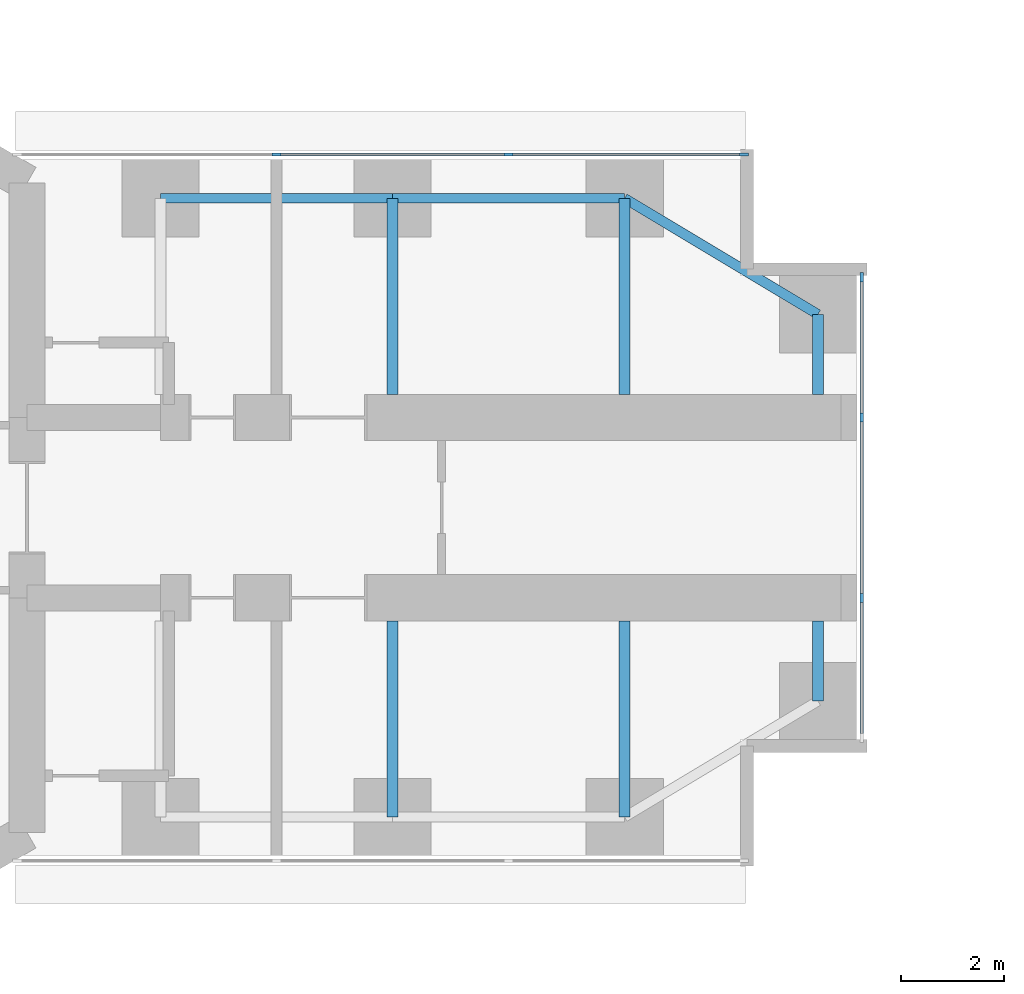
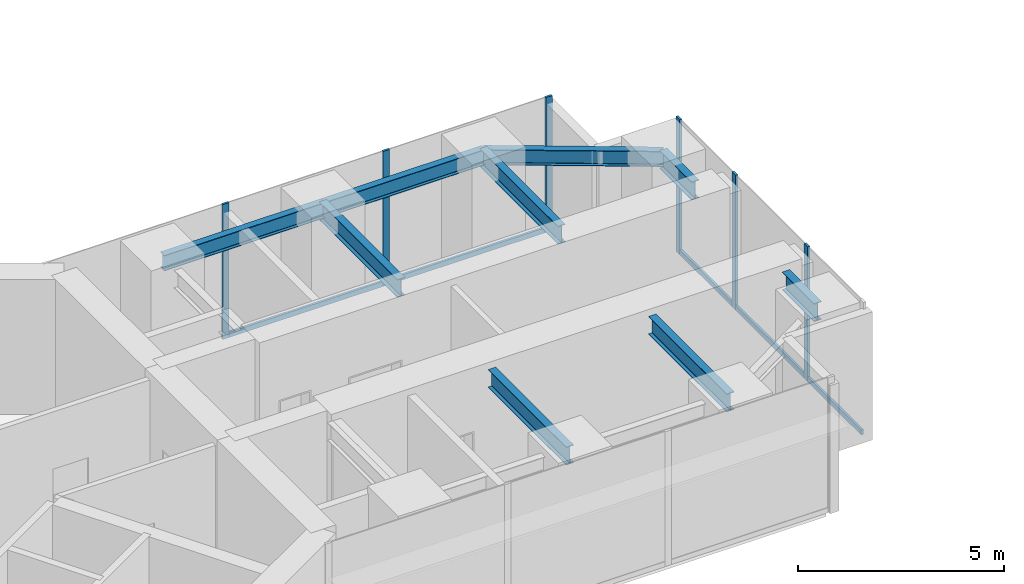
# One storey, part 8 of 23: 11 members, 9 beams, 2 elements without a shape of their own.
"""IFC4 building model written with IfcOpenShell, lengths in metres."""

from ifc_helpers import new_model, si_unit, direction, frame, origin, origin_2d, place, context, subcontext, project, spatial, rectangle, i_section, extrude, material, material_profile, profile_set, type_object, element, aggregate, save


model = new_model("IFC4")

# Units and contexts
model_context = context("Model", 3, precision=1e-05, world=origin(), true_north=direction((0.0, 1.0)))
body_context = subcontext(model_context, "Body", "Model", "MODEL_VIEW")
ifc_project = project(units=[si_unit("LENGTHUNIT", "METRE"), si_unit("AREAUNIT", "SQUARE_METRE"), si_unit("VOLUMEUNIT", "CUBIC_METRE"), si_unit("PLANEANGLEUNIT", "RADIAN"), si_unit("MASSUNIT", "GRAM", prefix="KILO")], contexts=[model_context])

# Site, building, storey
site_placement = place(None, origin())
site = spatial("IfcSite", under=ifc_project, at=site_placement, CompositionType="ELEMENT")
building_placement = place(site_placement, origin())
building = spatial("IfcBuilding", under=site, at=building_placement, Name="Upepo Twin Towers", CompositionType="ELEMENT")
storey_placement = place(building_placement, frame((0.0, 0.0, 24.5)))
storey = spatial("IfcBuildingStorey", under=building, at=storey_placement, Name="L05", CompositionType="ELEMENT", Elevation=24.5)

# Beams
ifc_material_1 = material(Name="Steel S355", Category="steel")
ifc_material_profile_1 = material_profile(ifc_material_1, i_section(OverallWidth=0.1904296875, OverallDepth=0.45703125, WebThickness=0.009033203125, FlangeThickness=0.014404296875, FilletRadius=0.01025390625, at=origin_2d()), Name="UB 457x191x74")
ifc_profile_set_1 = profile_set([ifc_material_profile_1], Name="Steel S355")
beam_type_1 = type_object("IfcBeamType", Name="Beam UB 457x191x74", PredefinedType="BEAM", material=ifc_profile_set_1)
for number, where, z_axis, x_axis, name in (
    (1, (13.5, 6.0, 3.571533203125), (1.0, 0.0, 0.0), (0.0, 1.0, 0.0), "T1 edge beam AL 13.5-18.0"),
    (2, (18.0, 6.0, 3.571533203125), (1.0, 0.0, 0.0), (0.0, 1.0, 0.0), "T1 edge beam AL 18.0-22.5"),
):
    element("IfcBeam", number, at=place(storey_placement, frame(where, z_axis=z_axis, x_axis=x_axis)), inside=storey, type_object=beam_type_1, Name=name, PredefinedType="BEAM", context=body_context, shape_type="SweptSolid", body=[
        extrude(i_section(OverallWidth=0.1904296875, OverallDepth=0.45703125, WebThickness=0.009033203125, FlangeThickness=0.014404296875, FilletRadius=0.01025390625, at=origin_2d()), origin(), (0.0, 0.0, 1.0), 4.5),
    ])
beam_placement = place(storey_placement, frame((22.5, 6.0, 3.571533203125), z_axis=(0.857492925713, -0.514495755428, 0.0), x_axis=(0.514495755428, 0.857492925713, 0.0)))
element("IfcBeam", 3, at=beam_placement, inside=storey, type_object=beam_type_1, Name="T1 nose edge beam AL", PredefinedType="BEAM", context=body_context, shape_type="SweptSolid", body=[
    extrude(i_section(OverallWidth=0.1904296875, OverallDepth=0.45703125, WebThickness=0.009033203125, FlangeThickness=0.014404296875, FilletRadius=0.01025390625, at=origin_2d()), origin(), (0.0, 0.0, 1.0), 4.373291015625),
])
ifc_material_2 = material(Name="Steel S355", Category="steel")
ifc_material_profile_2 = material_profile(ifc_material_2, i_section(OverallWidth=0.2099609375, OverallDepth=0.53662109375, WebThickness=0.0107421875, FlangeThickness=0.017333984375, FilletRadius=0.0126953125, at=origin_2d()), Name="UB 533x210x101")
ifc_profile_set_2 = profile_set([ifc_material_profile_2], Name="Steel S355")
beam_type_2 = type_object("IfcBeamType", Name="Beam UB 533x210x101", PredefinedType="BEAM", material=ifc_profile_set_2)
for number, where, z_axis, x_axis, name in (
    (4, (26.25, 3.75, 3.53173828125), (0.0, -1.0, 0.0), (1.0, 0.0, 0.0), "T1 nose beam AL"),
    (5, (26.25, -3.75, 3.53173828125), (0.0, 1.0, 0.0), (-1.0, 0.0, 0.0), "T1 nose beam AR"),
):
    element("IfcBeam", number, at=place(storey_placement, frame(where, z_axis=z_axis, x_axis=x_axis)), inside=storey, type_object=beam_type_2, Name=name, PredefinedType="BEAM", context=body_context, shape_type="SweptSolid", body=[
        extrude(i_section(OverallWidth=0.2099609375, OverallDepth=0.53662109375, WebThickness=0.0107421875, FlangeThickness=0.017333984375, FilletRadius=0.0126953125, at=origin_2d()), origin(), (0.0, 0.0, 1.0), 1.550048828125),
    ])
ifc_material_3 = material(Name="Steel S355", Category="steel")
ifc_material_profile_3 = material_profile(ifc_material_3, i_section(OverallWidth=0.209228515625, OverallDepth=0.533203125, WebThickness=0.010009765625, FlangeThickness=0.015625, FilletRadius=0.0126953125, at=origin_2d()), Name="UB 533x210x92")
ifc_profile_set_3 = profile_set([ifc_material_profile_3], Name="Steel S355")
beam_type_3 = type_object("IfcBeamType", Name="Beam UB 533x210x92", PredefinedType="BEAM", material=ifc_profile_set_3)
for number, where, z_axis, x_axis, name in (
    (6, (18.0, 6.0, 3.533447265625), (0.0, -1.0, 0.0), (1.0, 0.0, 0.0), "T1 girder AL at 18.0"),
    (7, (22.5, 6.0, 3.533447265625), (0.0, -1.0, 0.0), (1.0, 0.0, 0.0), "T1 girder AL at 22.5"),
    (8, (18.0, -6.0, 3.533447265625), (0.0, 1.0, 0.0), (-1.0, 0.0, 0.0), "T1 girder AR at 18.0"),
    (9, (22.5, -6.0, 3.533447265625), (0.0, 1.0, 0.0), (-1.0, 0.0, 0.0), "T1 girder AR at 22.5"),
):
    element("IfcBeam", number, at=place(storey_placement, frame(where, z_axis=z_axis, x_axis=x_axis)), inside=storey, type_object=beam_type_3, Name=name, PredefinedType="BEAM", context=body_context, shape_type="SweptSolid", body=[
        extrude(i_section(OverallWidth=0.209228515625, OverallDepth=0.533203125, WebThickness=0.010009765625, FlangeThickness=0.015625, FilletRadius=0.0126953125, at=origin_2d()), origin(), (0.0, 0.0, 1.0), 3.800048828125),
    ])

# Curtain wall, members
ifc_material_4 = material(Name="Aluminium and fritted glass", Category="aluminium")
curtain_wall_type = type_object("IfcCurtainWallType", Name="Tower curtain wall TW1, fritted glass", PredefinedType="NOTDEFINED", material=ifc_material_4)
curtain_wall_1_placement = place(storey_placement, origin())
curtain_wall_1 = element("IfcCurtainWall", 10, at=curtain_wall_1_placement, inside=storey, type_object=curtain_wall_type, Name="T1 L05 wing A flank L curtain wall", PredefinedType="NOTDEFINED")
ifc_material_5 = material(Name="Aluminium mullion", Category="aluminium")
ifc_material_profile_4 = material_profile(ifc_material_5, rectangle(XDim=0.06494140625, YDim=0.179931640625, at=origin_2d()), Name="MULLION 65x180")
ifc_profile_set_4 = profile_set([ifc_material_profile_4], Name="Aluminium mullion")
member_type_1 = type_object("IfcMemberType", Name="Mullion 65x180 TW1", PredefinedType="MULLION", material=ifc_profile_set_4)
member_1_placement = place(storey_placement, frame((15.75, 6.85009765625, 0.0), z_axis=(0.0, 0.0, 1.0), x_axis=(0.0, 1.0, 0.0)))
member_1 = element("IfcMember", 11, at=member_1_placement, type_object=member_type_1, Name="T1 L05 wing A flank L curtain wall mullion 2", PredefinedType="MULLION", context=body_context, shape_type="SweptSolid", body=[
    extrude(rectangle(XDim=0.06494140625, YDim=0.179931640625, at=origin_2d()), origin(), (0.0, 0.0, 1.0), 4.0),
])
member_2_placement = place(storey_placement, frame((20.25, 6.85009765625, 0.0), z_axis=(0.0, 0.0, 1.0), x_axis=(0.0, 1.0, 0.0)))
member_2 = element("IfcMember", 12, at=member_2_placement, type_object=member_type_1, Name="T1 L05 wing A flank L curtain wall mullion 3", PredefinedType="MULLION", context=body_context, shape_type="SweptSolid", body=[
    extrude(rectangle(XDim=0.06494140625, YDim=0.179931640625, at=origin_2d()), origin(), (0.0, 0.0, 1.0), 4.0),
])
member_3_placement = place(storey_placement, frame((24.8173828125, 6.85009765625, 0.0), z_axis=(0.0, 0.0, 1.0), x_axis=(0.0, 1.0, 0.0)))
member_3 = element("IfcMember", 13, at=member_3_placement, type_object=member_type_1, Name="T1 L05 wing A flank L curtain wall mullion 4", PredefinedType="MULLION", context=body_context, shape_type="SweptSolid", body=[
    extrude(rectangle(XDim=0.06494140625, YDim=0.179931640625, at=origin_2d()), origin(), (0.0, 0.0, 1.0), 4.0),
])

curtain_wall_2_placement = place(storey_placement, origin())
curtain_wall_2 = element("IfcCurtainWall", 14, at=curtain_wall_2_placement, inside=storey, type_object=curtain_wall_type, Name="T1 L05 wing A nose curtain wall", PredefinedType="NOTDEFINED")
member_4_placement = place(storey_placement, frame((27.10009765625, -1.75, 0.0), z_axis=(0.0, 0.0, 1.0), x_axis=(-1.0, 0.0, 0.0)))
member_4 = element("IfcMember", 15, at=member_4_placement, type_object=member_type_1, Name="T1 L05 wing A nose curtain wall mullion 2", PredefinedType="MULLION", context=body_context, shape_type="SweptSolid", body=[
    extrude(rectangle(XDim=0.06494140625, YDim=0.179931640625, at=origin_2d()), origin(), (0.0, 0.0, 1.0), 4.0),
])
member_5_placement = place(storey_placement, frame((27.10009765625, 1.75, 0.0), z_axis=(0.0, 0.0, 1.0), x_axis=(-1.0, 0.0, 0.0)))
member_5 = element("IfcMember", 16, at=member_5_placement, type_object=member_type_1, Name="T1 L05 wing A nose curtain wall mullion 3", PredefinedType="MULLION", context=body_context, shape_type="SweptSolid", body=[
    extrude(rectangle(XDim=0.06494140625, YDim=0.179931640625, at=origin_2d()), origin(), (0.0, 0.0, 1.0), 4.0),
])
member_6_placement = place(storey_placement, frame((27.10009765625, 4.467529296875, 0.0), z_axis=(0.0, 0.0, 1.0), x_axis=(-1.0, 0.0, 0.0)))
member_6 = element("IfcMember", 17, at=member_6_placement, type_object=member_type_1, Name="T1 L05 wing A nose curtain wall mullion 4", PredefinedType="MULLION", context=body_context, shape_type="SweptSolid", body=[
    extrude(rectangle(XDim=0.06494140625, YDim=0.179931640625, at=origin_2d()), origin(), (0.0, 0.0, 1.0), 4.0),
])

# Member
ifc_material_6 = material(Name="Aluminium transom", Category="aluminium")
ifc_material_profile_5 = material_profile(ifc_material_6, rectangle(XDim=0.06494140625, YDim=0.14990234375, at=origin_2d()), Name="TRANSOM 65x150")
ifc_profile_set_5 = profile_set([ifc_material_profile_5], Name="Aluminium transom")
member_type_2 = type_object("IfcMemberType", Name="Transom 65x150 TW1", PredefinedType="USERDEFINED", material=ifc_profile_set_5)
member_7_placement = place(storey_placement, frame((15.782470703125, 6.85009765625, 0.074951171875), z_axis=(1.0, 0.0, 0.0), x_axis=(0.0, 1.0, 0.0)))
member_7 = element("IfcMember", 18, at=member_7_placement, type_object=member_type_2, Name="T1 L05 wing A flank L curtain wall transom 2", ObjectType="TRANSOM", PredefinedType="USERDEFINED", context=body_context, shape_type="SweptSolid", body=[
    extrude(rectangle(XDim=0.06494140625, YDim=0.14990234375, at=origin_2d()), origin(), (0.0, 0.0, 1.0), 4.43505859375),
])

member_8_placement = place(storey_placement, frame((20.282470703125, 6.85009765625, 0.074951171875), z_axis=(1.0, 0.0, 0.0), x_axis=(0.0, 1.0, 0.0)))
member_8 = element("IfcMember", 19, at=member_8_placement, type_object=member_type_2, Name="T1 L05 wing A flank L curtain wall transom 3", ObjectType="TRANSOM", PredefinedType="USERDEFINED", context=body_context, shape_type="SweptSolid", body=[
    extrude(rectangle(XDim=0.06494140625, YDim=0.14990234375, at=origin_2d()), origin(), (0.0, 0.0, 1.0), 4.50244140625),
])

aggregate(curtain_wall_1, [member_1, member_2, member_3, member_7, member_8])

member_9_placement = place(storey_placement, frame((27.10009765625, -4.43505859375, 0.074951171875), z_axis=(0.0, 1.0, 0.0), x_axis=(-1.0, 0.0, 0.0)))
member_9 = element("IfcMember", 20, at=member_9_placement, type_object=member_type_2, Name="T1 L05 wing A nose curtain wall transom 1", ObjectType="TRANSOM", PredefinedType="USERDEFINED", context=body_context, shape_type="SweptSolid", body=[
    extrude(rectangle(XDim=0.06494140625, YDim=0.14990234375, at=origin_2d()), origin(), (0.0, 0.0, 1.0), 2.652587890625),
])

member_10_placement = place(storey_placement, frame((27.10009765625, -1.717529296875, 0.074951171875), z_axis=(0.0, 1.0, 0.0), x_axis=(-1.0, 0.0, 0.0)))
member_10 = element("IfcMember", 21, at=member_10_placement, type_object=member_type_2, Name="T1 L05 wing A nose curtain wall transom 2", ObjectType="TRANSOM", PredefinedType="USERDEFINED", context=body_context, shape_type="SweptSolid", body=[
    extrude(rectangle(XDim=0.06494140625, YDim=0.14990234375, at=origin_2d()), origin(), (0.0, 0.0, 1.0), 3.43505859375),
])

member_11_placement = place(storey_placement, frame((27.10009765625, 1.782470703125, 0.074951171875), z_axis=(0.0, 1.0, 0.0), x_axis=(-1.0, 0.0, 0.0)))
member_11 = element("IfcMember", 22, at=member_11_placement, type_object=member_type_2, Name="T1 L05 wing A nose curtain wall transom 3", ObjectType="TRANSOM", PredefinedType="USERDEFINED", context=body_context, shape_type="SweptSolid", body=[
    extrude(rectangle(XDim=0.06494140625, YDim=0.14990234375, at=origin_2d()), origin(), (0.0, 0.0, 1.0), 2.652587890625),
])

aggregate(curtain_wall_2, [member_4, member_5, member_6, member_9, member_10, member_11])

save(model, "model.ifc")
